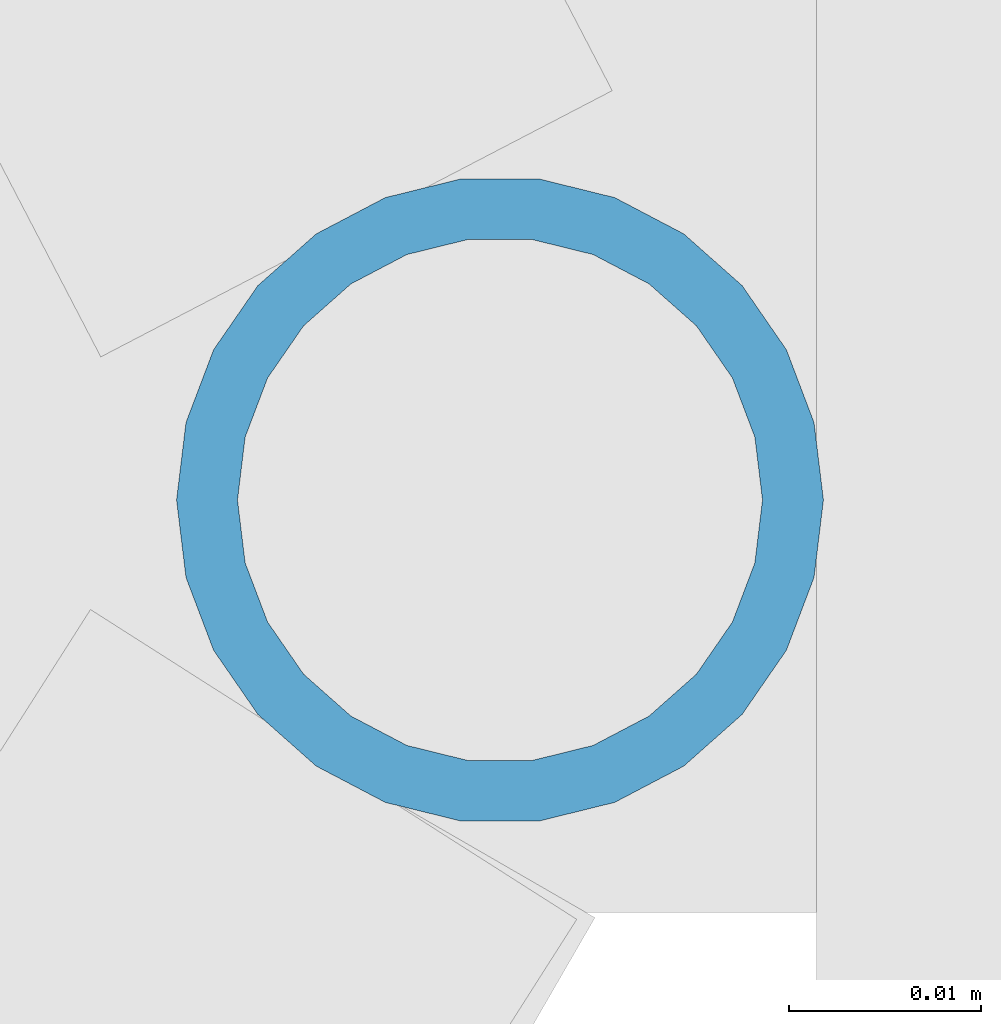
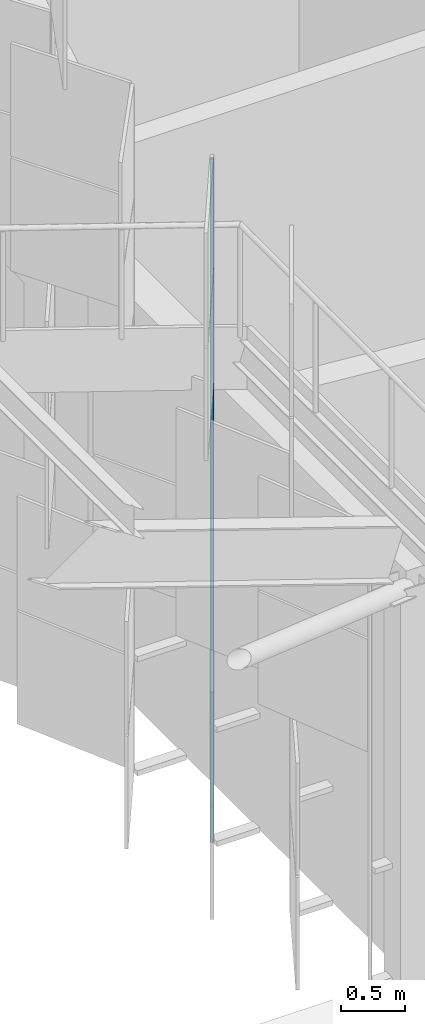
# One storey, part 189 of 483: 1 discrete accessory.
"""IFC4 building model written with IfcOpenShell, lengths in metres."""

from ifc_helpers import new_model, si_unit, direction, frame, origin, origin_2d, place, context, subcontext, project, spatial, hollow_circle, extrude, material, material_profile, profile_set, type_object, element, save


model = new_model("IFC4")

# Units and contexts
model_context = context("Model", 3, precision=1e-05, world=origin(), true_north=direction((0.0, 1.0)))
body_context = subcontext(model_context, "Body", "Model", "MODEL_VIEW")
ifc_project = project(units=[si_unit("LENGTHUNIT", "METRE"), si_unit("AREAUNIT", "SQUARE_METRE"), si_unit("VOLUMEUNIT", "CUBIC_METRE"), si_unit("PLANEANGLEUNIT", "RADIAN"), si_unit("MASSUNIT", "GRAM", prefix="KILO")], contexts=[model_context])

# Site, building, storey
site_placement = place(None, origin())
site = spatial("IfcSite", under=ifc_project, at=site_placement, CompositionType="ELEMENT")
building_placement = place(site_placement, origin())
building = spatial("IfcBuilding", under=site, at=building_placement, Name="Parallax Yard Mobility Hub", CompositionType="ELEMENT")
storey_placement = place(building_placement, frame((0.0, 0.0, 13.199951171875)))
storey = spatial("IfcBuildingStorey", under=building, at=storey_placement, Name="L04", CompositionType="ELEMENT", Elevation=13.199951171875)

# Discrete accessory
ifc_material = material(Name="Steel ASTM A500 Gr C, hot-dip galvanised", Category="steel")
ifc_material_profile = material_profile(ifc_material, hollow_circle(Radius=0.016845703125, WallThickness=0.003173828125, at=origin_2d()), Name="CHS 33.7x3.2")
ifc_profile_set = profile_set([ifc_material_profile], Name="Steel ASTM A500 Gr C, hot-dip galvanised")
discrete_accessory_type = type_object("IfcDiscreteAccessoryType", Name="Hinge post CHS 33.7x3.2", PredefinedType="BRACKET", material=ifc_profile_set)
discrete_accessory_placement = place(storey_placement, frame((194.5947265625, 77.34765625, 0.0), z_axis=(0.0, 0.0, 1.0), x_axis=(1.0, 0.0, 0.0)))
element("IfcDiscreteAccessory", 1, at=discrete_accessory_placement, inside=storey, type_object=discrete_accessory_type, Name="Hinge post bay 23.12 level L04", PredefinedType="BRACKET", context=body_context, shape_type="SweptSolid", body=[
    extrude(hollow_circle(Radius=0.016845703125, WallThickness=0.003173828125, at=origin_2d()), origin(), (0.0, 0.0, 1.0), 6.550048828125),
])

save(model, "model.ifc")
